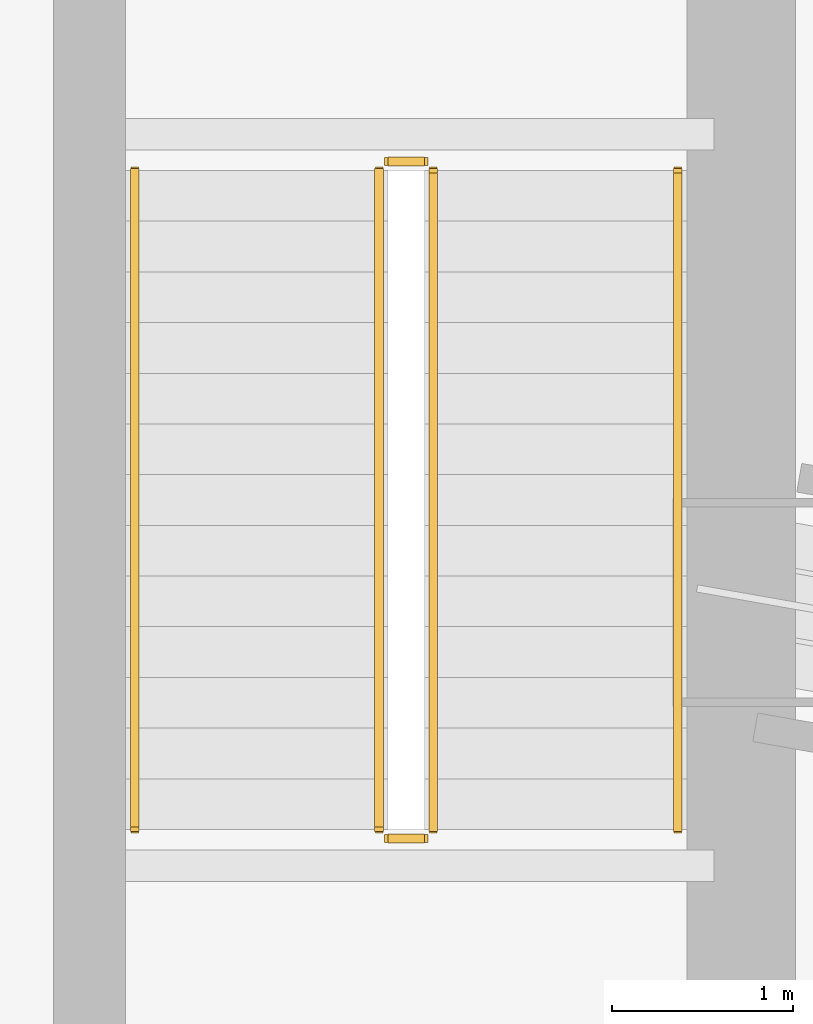
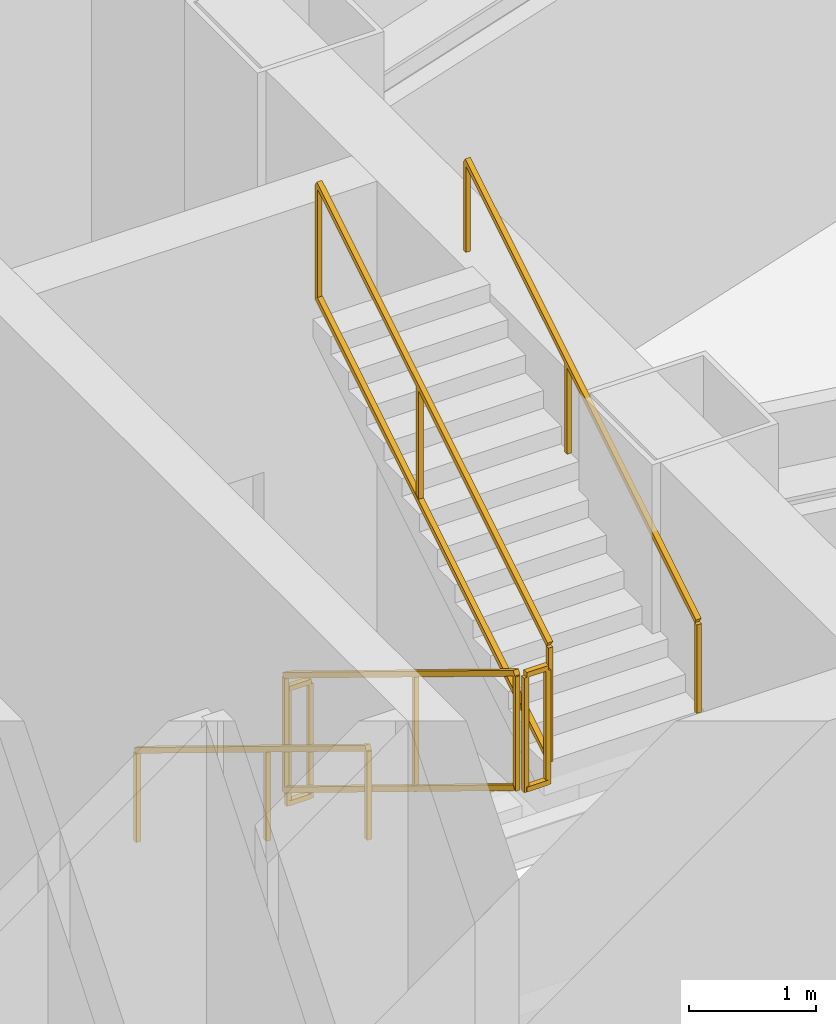
# One storey, part 14 of 17: 6 railings.
"""IFC4 building model written with IfcOpenShell, lengths in metres."""

from ifc_helpers import new_model, si_unit, direction, frame, origin, origin_2d, place, context, subcontext, project, spatial, rectangle, extrude, material, type_object, element, save


model = new_model("IFC4")

# Units and contexts
model_context = context("Model", 3, precision=1e-05, world=origin(), true_north=direction((0.0, 1.0)))
body_context = subcontext(model_context, "Body", "Model", "MODEL_VIEW")
ifc_project = project(units=[si_unit("LENGTHUNIT", "METRE"), si_unit("AREAUNIT", "SQUARE_METRE"), si_unit("VOLUMEUNIT", "CUBIC_METRE"), si_unit("PLANEANGLEUNIT", "RADIAN"), si_unit("MASSUNIT", "GRAM", prefix="KILO"), si_unit("THERMODYNAMICTEMPERATUREUNIT", "KELVIN"), si_unit("POWERUNIT", "WATT")], contexts=[model_context])

# Site, building, storey
site_placement = place(None, origin())
site = spatial("IfcSite", under=ifc_project, at=site_placement, CompositionType="ELEMENT")
building_placement = place(site_placement, origin())
building = spatial("IfcBuilding", under=site, at=building_placement, Name="Yunzhuo Pagoda Commons", CompositionType="ELEMENT")
storey_placement = place(building_placement, frame((0.0, 0.0, 76.3798828125)))
storey = spatial("IfcBuildingStorey", under=building, at=storey_placement, Name="L19", CompositionType="ELEMENT", Elevation=76.3798828125)

# Railings
ifc_material = material(Name="Anodized aluminium 6063-T6", Category="aluminium")
railing_type_1 = type_object("IfcRailingType", Name="GR-ST2 Stair Well Guardrail 1160", PredefinedType="GUARDRAIL", material=ifc_material)
railing_1_placement = place(storey_placement, frame((58.199951171875, 33.89990234375, 0.171630859375)))
element("IfcRailing", 1, at=railing_1_placement, inside=storey, type_object=railing_type_1, Name="L19 ST2 stair guard 1", PredefinedType="GUARDRAIL", context=body_context, shape_type="SweptSolid", body=[
    extrude(rectangle(XDim=0.048095703125, YDim=0.048095703125, at=origin_2d()), frame((0.0, 0.0, 1.1259765625), z_axis=(0.0, -0.852850264322, 0.5221555579), x_axis=(1.0, 0.0, 0.0)), (0.0, 0.0, 1.0), 4.267822265625),
    extrude(rectangle(XDim=0.048095703125, YDim=0.048095703125, at=origin_2d()), frame((0.0, 0.0, 0.02392578125), z_axis=(0.0, -0.852850264322, 0.5221555579), x_axis=(1.0, 0.0, 0.0)), (0.0, 0.0, 1.0), 4.267822265625),
    extrude(rectangle(XDim=0.0419921875, YDim=0.0419921875, at=origin_2d()), origin(), (0.0, 0.0, 1.0), 1.101806640625),
    extrude(rectangle(XDim=0.0419921875, YDim=0.0419921875, at=origin_2d()), frame((0.0, -2.046875, 1.253173828125)), (0.0, 0.0, 1.0), 1.101806640625),
    extrude(rectangle(XDim=0.0419921875, YDim=0.0419921875, at=origin_2d()), frame((0.0, -3.639892578125, 2.228515625)), (0.0, 0.0, 1.0), 1.101806640625),
])
railing_2_placement = place(storey_placement, frame((58.25, 30.2099609375, 2.400146484375)))
element("IfcRailing", 2, at=railing_2_placement, inside=storey, type_object=railing_type_1, Name="L19 ST2 stair guard 2", PredefinedType="GUARDRAIL", context=body_context, shape_type="SweptSolid", body=[
    extrude(rectangle(XDim=0.048095703125, YDim=0.048095703125, at=origin_2d()), frame((0.0, 0.0, 1.1259765625), z_axis=(1.0, 0.0, 0.0), x_axis=(0.0, 1.0, 0.0)), (0.0, 0.0, 1.0), 0.199951171875),
    extrude(rectangle(XDim=0.048095703125, YDim=0.048095703125, at=origin_2d()), frame((0.0, 0.0, 0.02392578125), z_axis=(1.0, 0.0, 0.0), x_axis=(0.0, 1.0, 0.0)), (0.0, 0.0, 1.0), 0.199951171875),
    extrude(rectangle(XDim=0.0419921875, YDim=0.0419921875, at=origin_2d()), origin(), (0.0, 0.0, 1.0), 1.101806640625),
    extrude(rectangle(XDim=0.0419921875, YDim=0.0419921875, at=origin_2d()), frame((0.199951171875, 0.0, 0.0)), (0.0, 0.0, 1.0), 1.101806640625),
])
railing_3_placement = place(storey_placement, frame((58.5, 30.260009765625, 2.571533203125)))
element("IfcRailing", 3, at=railing_3_placement, inside=storey, type_object=railing_type_1, Name="L19 ST2 stair guard 3", PredefinedType="GUARDRAIL", context=body_context, shape_type="SweptSolid", body=[
    extrude(rectangle(XDim=0.048095703125, YDim=0.048095703125, at=origin_2d()), frame((0.0, 0.0, 1.1259765625), z_axis=(0.0, 0.852850264322, 0.5221555579), x_axis=(-1.0, 0.0, 0.0)), (0.0, 0.0, 1.0), 4.267822265625),
    extrude(rectangle(XDim=0.048095703125, YDim=0.048095703125, at=origin_2d()), frame((0.0, 0.0, 0.02392578125), z_axis=(0.0, 0.852850264322, 0.5221555579), x_axis=(-1.0, 0.0, 0.0)), (0.0, 0.0, 1.0), 4.267822265625),
    extrude(rectangle(XDim=0.0419921875, YDim=0.0419921875, at=origin_2d()), origin(), (0.0, 0.0, 1.0), 1.101806640625),
    extrude(rectangle(XDim=0.0419921875, YDim=0.0419921875, at=origin_2d()), frame((0.0, 2.046875, 1.253173828125)), (0.0, 0.0, 1.0), 1.101806640625),
    extrude(rectangle(XDim=0.0419921875, YDim=0.0419921875, at=origin_2d()), frame((0.0, 3.639892578125, 2.228515625)), (0.0, 0.0, 1.0), 1.101806640625),
])
railing_4_placement = place(storey_placement, frame((58.25, 33.949951171875, 0.0)))
element("IfcRailing", 4, at=railing_4_placement, inside=storey, type_object=railing_type_1, Name="L19 ST2 stair guard 4", PredefinedType="GUARDRAIL", context=body_context, shape_type="SweptSolid", body=[
    extrude(rectangle(XDim=0.048095703125, YDim=0.048095703125, at=origin_2d()), frame((0.0, 0.0, 1.1259765625), z_axis=(1.0, 0.0, 0.0), x_axis=(0.0, 1.0, 0.0)), (0.0, 0.0, 1.0), 0.199951171875),
    extrude(rectangle(XDim=0.048095703125, YDim=0.048095703125, at=origin_2d()), frame((0.0, 0.0, 0.02392578125), z_axis=(1.0, 0.0, 0.0), x_axis=(0.0, 1.0, 0.0)), (0.0, 0.0, 1.0), 0.199951171875),
    extrude(rectangle(XDim=0.0419921875, YDim=0.0419921875, at=origin_2d()), origin(), (0.0, 0.0, 1.0), 1.101806640625),
    extrude(rectangle(XDim=0.0419921875, YDim=0.0419921875, at=origin_2d()), frame((0.199951171875, 0.0, 0.0)), (0.0, 0.0, 1.0), 1.101806640625),
])
railing_type_2 = type_object("IfcRailingType", Name="HR-ST2 Stair Handrail 900", PredefinedType="HANDRAIL", material=ifc_material)
railing_5_placement = place(storey_placement, frame((56.85009765625, 33.89990234375, 0.171630859375)))
element("IfcRailing", 5, at=railing_5_placement, inside=storey, type_object=railing_type_2, Name="L19 ST2 stair handrail 1", PredefinedType="HANDRAIL", context=body_context, shape_type="SweptSolid", body=[
    extrude(rectangle(XDim=0.048095703125, YDim=0.048095703125, at=origin_2d()), frame((0.0, 0.0, 0.8759765625), z_axis=(0.0, -0.852850264322, 0.5221555579), x_axis=(1.0, 0.0, 0.0)), (0.0, 0.0, 1.0), 4.267822265625),
    extrude(rectangle(XDim=0.0419921875, YDim=0.0419921875, at=origin_2d()), origin(), (0.0, 0.0, 1.0), 0.851806640625),
    extrude(rectangle(XDim=0.0419921875, YDim=0.0419921875, at=origin_2d()), frame((0.0, -2.046875, 1.253173828125)), (0.0, 0.0, 1.0), 0.851806640625),
    extrude(rectangle(XDim=0.0419921875, YDim=0.0419921875, at=origin_2d()), frame((0.0, -3.639892578125, 2.228515625)), (0.0, 0.0, 1.0), 0.851806640625),
])
railing_6_placement = place(storey_placement, frame((59.85009765625, 30.260009765625, 2.571533203125)))
element("IfcRailing", 6, at=railing_6_placement, inside=storey, type_object=railing_type_2, Name="L19 ST2 stair handrail 2", PredefinedType="HANDRAIL", context=body_context, shape_type="SweptSolid", body=[
    extrude(rectangle(XDim=0.048095703125, YDim=0.048095703125, at=origin_2d()), frame((0.0, 0.0, 0.8759765625), z_axis=(0.0, 0.852850264322, 0.5221555579), x_axis=(-1.0, 0.0, 0.0)), (0.0, 0.0, 1.0), 4.267822265625),
    extrude(rectangle(XDim=0.0419921875, YDim=0.0419921875, at=origin_2d()), origin(), (0.0, 0.0, 1.0), 0.851806640625),
    extrude(rectangle(XDim=0.0419921875, YDim=0.0419921875, at=origin_2d()), frame((0.0, 2.046875, 1.253173828125)), (0.0, 0.0, 1.0), 0.851806640625),
    extrude(rectangle(XDim=0.0419921875, YDim=0.0419921875, at=origin_2d()), frame((0.0, 3.639892578125, 2.228515625)), (0.0, 0.0, 1.0), 0.851806640625),
])

save(model, "model.ifc")
